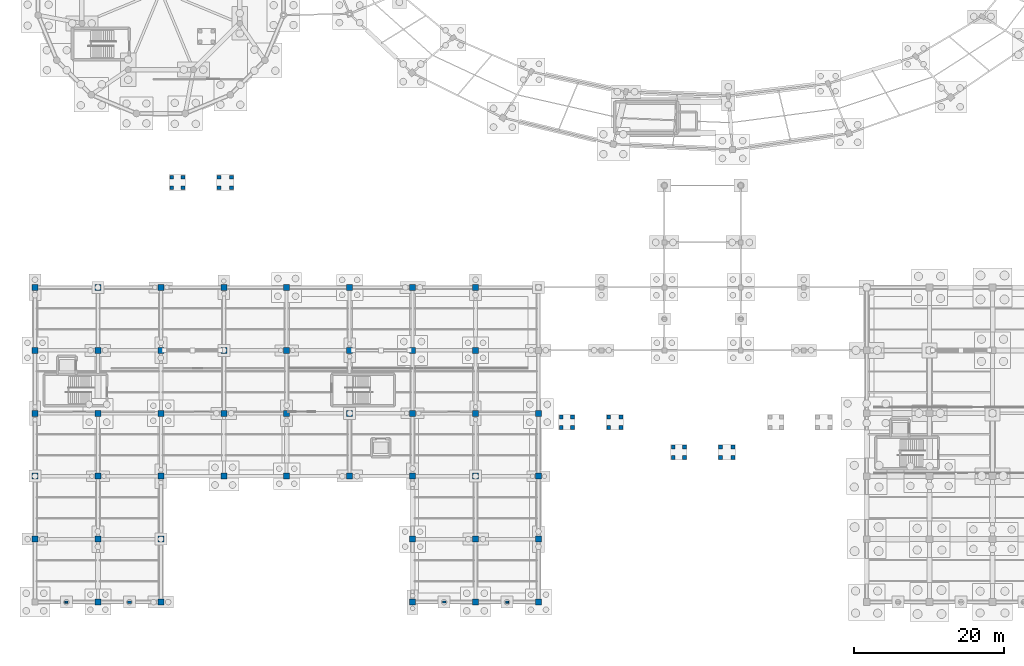
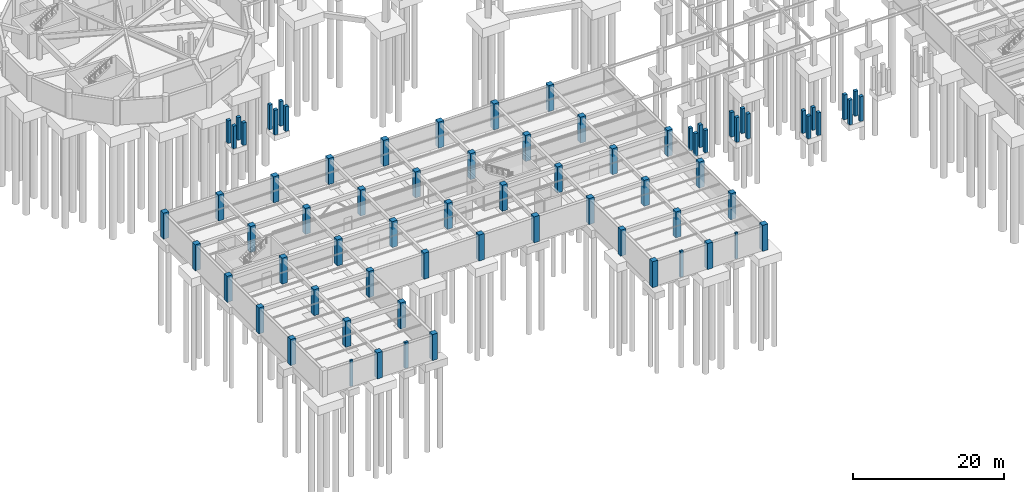
# One storey, part 11 of 38: 73 columns.
"""IFC4 building model written with IfcOpenShell, lengths in metres."""

from ifc_helpers import new_model, si_unit, direction, frame, origin, origin_2d, place, context, subcontext, project, spatial, rectangle, extrude, material, material_profile, profile_set, type_object, element, save


model = new_model("IFC4")

# Units and contexts
model_context = context("Model", 3, precision=1e-05, world=origin(), true_north=direction((0.0, 1.0)))
body_context = subcontext(model_context, "Body", "Model", "MODEL_VIEW")
ifc_project = project(units=[si_unit("LENGTHUNIT", "METRE"), si_unit("AREAUNIT", "SQUARE_METRE"), si_unit("VOLUMEUNIT", "CUBIC_METRE"), si_unit("PLANEANGLEUNIT", "RADIAN"), si_unit("MASSUNIT", "GRAM", prefix="KILO"), si_unit("THERMODYNAMICTEMPERATUREUNIT", "KELVIN"), si_unit("POWERUNIT", "WATT")], contexts=[model_context])

# Site, building, storey
site_placement = place(None, origin())
site = spatial("IfcSite", under=ifc_project, at=site_placement, CompositionType="ELEMENT")
building_placement = place(site_placement, origin())
building = spatial("IfcBuilding", under=site, at=building_placement, Name="Darbajah Civic Hall", CompositionType="ELEMENT")
storey_placement = place(building_placement, frame((0.0, 0.0, -4.199951171875)))
storey = spatial("IfcBuildingStorey", under=building, at=storey_placement, Name="B01", CompositionType="ELEMENT", Elevation=-4.199951171875)

# Columns
ifc_material_1 = material(Name="Concrete C45/55", Category="concrete")
ifc_material_profile_1 = material_profile(ifc_material_1, rectangle(XDim=0.39990234375, YDim=0.25, at=origin_2d()), Name="PILASTER 400x250")
ifc_profile_set_1 = profile_set([ifc_material_profile_1], Name="Concrete C45/55")
column_type_1 = type_object("IfcColumnType", Name="PILASTER 400x250", PredefinedType="PILASTER", material=ifc_profile_set_1)
for number, where, z_axis, x_axis, name in (
    (1, (4.199951171875, 0.0, 0.0), (0.0, 0.0, 1.0), (1.0, 0.0, 0.0), "B01 column PL-400"),
    (2, (63.0, 0.0, 0.0), (0.0, 0.0, 1.0), (1.0, 0.0, 0.0), "B01 column PL-400"),
):
    element("IfcColumn", number, at=place(storey_placement, frame(where, z_axis=z_axis, x_axis=x_axis)), inside=storey, type_object=column_type_1, Name=name, PredefinedType="PILASTER", context=body_context, shape_type="SweptSolid", body=[
        extrude(rectangle(XDim=0.39990234375, YDim=0.25, at=origin_2d()), origin(), (0.0, 0.0, 1.0), 4.199951171875),
    ])
ifc_material_profile_2 = material_profile(ifc_material_1, rectangle(XDim=0.449951171875, YDim=0.300048828125, at=origin_2d()), Name="PILASTER 450x300")
ifc_profile_set_2 = profile_set([ifc_material_profile_2], Name="Concrete C45/55")
column_type_2 = type_object("IfcColumnType", Name="PILASTER 450x300", PredefinedType="PILASTER", material=ifc_profile_set_2)
column_1_placement = place(storey_placement, frame((54.60009765625, 0.0, 0.0), z_axis=(0.0, 0.0, 1.0), x_axis=(1.0, 0.0, 0.0)))
element("IfcColumn", 3, at=column_1_placement, inside=storey, type_object=column_type_2, Name="B01 column PL-450", PredefinedType="PILASTER", context=body_context, shape_type="SweptSolid", body=[
    extrude(rectangle(XDim=0.449951171875, YDim=0.300048828125, at=origin_2d()), origin(), (0.0, 0.0, 1.0), 4.199951171875),
])
ifc_material_profile_3 = material_profile(ifc_material_1, rectangle(XDim=0.550048828125, YDim=0.35009765625, at=origin_2d()), Name="PILASTER 550x350")
ifc_profile_set_3 = profile_set([ifc_material_profile_3], Name="Concrete C45/55")
column_type_3 = type_object("IfcColumnType", Name="PILASTER 550x350", PredefinedType="PILASTER", material=ifc_profile_set_3)
column_2_placement = place(storey_placement, frame((12.60009765625, 0.0, 0.0), z_axis=(0.0, 0.0, 1.0), x_axis=(1.0, 0.0, 0.0)))
element("IfcColumn", 4, at=column_2_placement, inside=storey, type_object=column_type_3, Name="B01 column PL-550", PredefinedType="PILASTER", context=body_context, shape_type="SweptSolid", body=[
    extrude(rectangle(XDim=0.550048828125, YDim=0.35009765625, at=origin_2d()), origin(), (0.0, 0.0, 1.0), 4.199951171875),
])
ifc_material_profile_4 = material_profile(ifc_material_1, rectangle(XDim=0.5, YDim=0.5, at=origin_2d()), Name="RC COL 500x500")
ifc_profile_set_4 = profile_set([ifc_material_profile_4], Name="Concrete C45/55")
column_type_4 = type_object("IfcColumnType", Name="RC COL 500x500", PredefinedType="COLUMN", material=ifc_profile_set_4)
for number, where, z_axis, x_axis, name in (
    (5, (70.25, 23.300048828125, 0.0), (0.0, 0.0, 1.0), (1.0, 0.0, 0.0), "B01 ramp RMP-S1 BOT pier 1"),
    (6, (71.75, 23.300048828125, 0.0), (0.0, 0.0, 1.0), (1.0, 0.0, 0.0), "B01 ramp RMP-S1 BOT pier 2"),
    (7, (70.25, 24.699951171875, 0.0), (0.0, 0.0, 1.0), (1.0, 0.0, 0.0), "B01 ramp RMP-S1 BOT pier 3"),
    (8, (71.75, 24.699951171875, 0.0), (0.0, 0.0, 1.0), (1.0, 0.0, 0.0), "B01 ramp RMP-S1 BOT pier 4"),
):
    element("IfcColumn", number, at=place(storey_placement, frame(where, z_axis=z_axis, x_axis=x_axis)), inside=storey, type_object=column_type_4, Name=name, PredefinedType="COLUMN", context=body_context, shape_type="SweptSolid", body=[
        extrude(rectangle(XDim=0.5, YDim=0.5, at=origin_2d()), origin(), (0.0, 0.0, 1.0), 3.639892578125),
    ])
for number, where, z_axis, x_axis, name in (
    (9, (76.570068359375, 23.300048828125, 0.0), (0.0, 0.0, 1.0), (1.0, 0.0, 0.0), "B01 ramp RMP-S1 TOP pier 1"),
    (10, (78.219970703125, 23.300048828125, 0.0), (0.0, 0.0, 1.0), (1.0, 0.0, 0.0), "B01 ramp RMP-S1 TOP pier 2"),
    (11, (76.570068359375, 24.699951171875, 0.0), (0.0, 0.0, 1.0), (1.0, 0.0, 0.0), "B01 ramp RMP-S1 TOP pier 3"),
    (12, (78.219970703125, 24.699951171875, 0.0), (0.0, 0.0, 1.0), (1.0, 0.0, 0.0), "B01 ramp RMP-S1 TOP pier 4"),
):
    element("IfcColumn", number, at=place(storey_placement, frame(where, z_axis=z_axis, x_axis=x_axis)), inside=storey, type_object=column_type_4, Name=name, PredefinedType="COLUMN", context=body_context, shape_type="SweptSolid", body=[
        extrude(rectangle(XDim=0.5, YDim=0.5, at=origin_2d()), origin(), (0.0, 0.0, 1.0), 4.0),
    ])
for number, where, z_axis, x_axis, name in (
    (13, (85.18994140625, 19.300048828125, 0.0), (0.0, 0.0, 1.0), (1.0, 0.0, 0.0), "B01 ramp RMP-S3 BOT pier 1"),
    (14, (86.68994140625, 19.300048828125, 0.0), (0.0, 0.0, 1.0), (1.0, 0.0, 0.0), "B01 ramp RMP-S3 BOT pier 2"),
    (15, (85.18994140625, 20.699951171875, 0.0), (0.0, 0.0, 1.0), (1.0, 0.0, 0.0), "B01 ramp RMP-S3 BOT pier 3"),
    (16, (86.68994140625, 20.699951171875, 0.0), (0.0, 0.0, 1.0), (1.0, 0.0, 0.0), "B01 ramp RMP-S3 BOT pier 4"),
):
    element("IfcColumn", number, at=place(storey_placement, frame(where, z_axis=z_axis, x_axis=x_axis)), inside=storey, type_object=column_type_4, Name=name, PredefinedType="COLUMN", context=body_context, shape_type="SweptSolid", body=[
        extrude(rectangle(XDim=0.5, YDim=0.5, at=origin_2d()), origin(), (0.0, 0.0, 1.0), 3.639892578125),
    ])
for number, where, z_axis, x_axis, name in (
    (17, (91.510009765625, 19.300048828125, 0.0), (0.0, 0.0, 1.0), (1.0, 0.0, 0.0), "B01 ramp RMP-S3 TOP pier 1"),
    (18, (93.159912109375, 19.300048828125, 0.0), (0.0, 0.0, 1.0), (1.0, 0.0, 0.0), "B01 ramp RMP-S3 TOP pier 2"),
    (19, (91.510009765625, 20.699951171875, 0.0), (0.0, 0.0, 1.0), (1.0, 0.0, 0.0), "B01 ramp RMP-S3 TOP pier 3"),
    (20, (93.159912109375, 20.699951171875, 0.0), (0.0, 0.0, 1.0), (1.0, 0.0, 0.0), "B01 ramp RMP-S3 TOP pier 4"),
):
    element("IfcColumn", number, at=place(storey_placement, frame(where, z_axis=z_axis, x_axis=x_axis)), inside=storey, type_object=column_type_4, Name=name, PredefinedType="COLUMN", context=body_context, shape_type="SweptSolid", body=[
        extrude(rectangle(XDim=0.5, YDim=0.5, at=origin_2d()), origin(), (0.0, 0.0, 1.0), 4.0),
    ])
for number, where, z_axis, x_axis, name in (
    (21, (18.25, 55.300048828125, 0.0), (0.0, 0.0, 1.0), (1.0, 0.0, 0.0), "B01 ramp RMP-W1 BOT pier 1"),
    (22, (19.75, 55.300048828125, 0.0), (0.0, 0.0, 1.0), (1.0, 0.0, 0.0), "B01 ramp RMP-W1 BOT pier 2"),
    (23, (18.25, 56.699951171875, 0.0), (0.0, 0.0, 1.0), (1.0, 0.0, 0.0), "B01 ramp RMP-W1 BOT pier 3"),
    (24, (19.75, 56.699951171875, 0.0), (0.0, 0.0, 1.0), (1.0, 0.0, 0.0), "B01 ramp RMP-W1 BOT pier 4"),
):
    element("IfcColumn", number, at=place(storey_placement, frame(where, z_axis=z_axis, x_axis=x_axis)), inside=storey, type_object=column_type_4, Name=name, PredefinedType="COLUMN", context=body_context, shape_type="SweptSolid", body=[
        extrude(rectangle(XDim=0.5, YDim=0.5, at=origin_2d()), origin(), (0.0, 0.0, 1.0), 3.639892578125),
    ])
for number, where, z_axis, x_axis, name in (
    (25, (24.570068359375, 55.300048828125, 0.0), (0.0, 0.0, 1.0), (1.0, 0.0, 0.0), "B01 ramp RMP-W1 TOP pier 1"),
    (26, (26.219970703125, 55.300048828125, 0.0), (0.0, 0.0, 1.0), (1.0, 0.0, 0.0), "B01 ramp RMP-W1 TOP pier 2"),
    (27, (24.570068359375, 56.699951171875, 0.0), (0.0, 0.0, 1.0), (1.0, 0.0, 0.0), "B01 ramp RMP-W1 TOP pier 3"),
    (28, (26.219970703125, 56.699951171875, 0.0), (0.0, 0.0, 1.0), (1.0, 0.0, 0.0), "B01 ramp RMP-W1 TOP pier 4"),
):
    element("IfcColumn", number, at=place(storey_placement, frame(where, z_axis=z_axis, x_axis=x_axis)), inside=storey, type_object=column_type_4, Name=name, PredefinedType="COLUMN", context=body_context, shape_type="SweptSolid", body=[
        extrude(rectangle(XDim=0.5, YDim=0.5, at=origin_2d()), origin(), (0.0, 0.0, 1.0), 4.0),
    ])
ifc_material_2 = material(Name="Concrete C50/60", Category="concrete")
ifc_material_profile_5 = material_profile(ifc_material_2, rectangle(XDim=0.800048828125, YDim=0.800048828125, at=origin_2d()), Name="RC COL 800x800")
ifc_profile_set_5 = profile_set([ifc_material_profile_5], Name="Concrete C50/60")
column_type_5 = type_object("IfcColumnType", Name="RC COL 800x800", PredefinedType="COLUMN", material=ifc_profile_set_5)
for number, where, z_axis, x_axis, name in (
    (29, (0.0, 8.39990234375, 0.0), (0.0, 0.0, 1.0), (1.0, 0.0, 0.0), "B01 column C-RC800"),
    (30, (0.0, 16.800048828125, 0.0), (0.0, 0.0, 1.0), (1.0, 0.0, 0.0), "B01 column C-RC800"),
    (31, (0.0, 25.199951171875, 0.0), (0.0, 0.0, 1.0), (1.0, 0.0, 0.0), "B01 column C-RC800"),
    (32, (0.0, 33.60009765625, 0.0), (0.0, 0.0, 1.0), (1.0, 0.0, 0.0), "B01 column C-RC800"),
    (33, (0.0, 42.0, 0.0), (0.0, 0.0, 1.0), (1.0, 0.0, 0.0), "B01 column C-RC800"),
    (34, (8.39990234375, 0.0, 0.0), (0.0, 0.0, 1.0), (1.0, 0.0, 0.0), "B01 column C-RC800"),
    (35, (8.39990234375, 8.39990234375, 0.0), (0.0, 0.0, 1.0), (1.0, 0.0, 0.0), "B01 column C-RC800"),
    (36, (8.39990234375, 16.800048828125, 0.0), (0.0, 0.0, 1.0), (1.0, 0.0, 0.0), "B01 column C-RC800"),
    (37, (8.39990234375, 25.199951171875, 0.0), (0.0, 0.0, 1.0), (1.0, 0.0, 0.0), "B01 column C-RC800"),
    (38, (8.39990234375, 33.60009765625, 0.0), (0.0, 0.0, 1.0), (1.0, 0.0, 0.0), "B01 column C-RC800"),
    (39, (8.39990234375, 42.0, 0.0), (0.0, 0.0, 1.0), (1.0, 0.0, 0.0), "B01 column C-RC800"),
    (40, (16.800048828125, 0.0, 0.0), (0.0, 0.0, 1.0), (1.0, 0.0, 0.0), "B01 column C-RC800"),
    (41, (16.800048828125, 8.39990234375, 0.0), (0.0, 0.0, 1.0), (1.0, 0.0, 0.0), "B01 column C-RC800"),
    (42, (16.800048828125, 16.800048828125, 0.0), (0.0, 0.0, 1.0), (1.0, 0.0, 0.0), "B01 column C-RC800"),
    (43, (16.800048828125, 25.199951171875, 0.0), (0.0, 0.0, 1.0), (1.0, 0.0, 0.0), "B01 column C-RC800"),
    (44, (16.800048828125, 33.60009765625, 0.0), (0.0, 0.0, 1.0), (1.0, 0.0, 0.0), "B01 column C-RC800"),
    (45, (16.800048828125, 42.0, 0.0), (0.0, 0.0, 1.0), (1.0, 0.0, 0.0), "B01 column C-RC800"),
    (46, (25.199951171875, 16.800048828125, 0.0), (0.0, 0.0, 1.0), (1.0, 0.0, 0.0), "B01 column C-RC800"),
    (47, (25.199951171875, 25.199951171875, 0.0), (0.0, 0.0, 1.0), (1.0, 0.0, 0.0), "B01 column C-RC800"),
    (48, (25.199951171875, 33.60009765625, 0.0), (0.0, 0.0, 1.0), (1.0, 0.0, 0.0), "B01 column C-RC800"),
    (49, (25.199951171875, 42.0, 0.0), (0.0, 0.0, 1.0), (1.0, 0.0, 0.0), "B01 column C-RC800"),
    (50, (33.60009765625, 16.800048828125, 0.0), (0.0, 0.0, 1.0), (1.0, 0.0, 0.0), "B01 column C-RC800"),
    (51, (33.60009765625, 25.199951171875, 0.0), (0.0, 0.0, 1.0), (1.0, 0.0, 0.0), "B01 column C-RC800"),
    (52, (33.60009765625, 33.60009765625, 0.0), (0.0, 0.0, 1.0), (1.0, 0.0, 0.0), "B01 column C-RC800"),
    (53, (33.60009765625, 42.0, 0.0), (0.0, 0.0, 1.0), (1.0, 0.0, 0.0), "B01 column C-RC800"),
    (54, (42.0, 16.800048828125, 0.0), (0.0, 0.0, 1.0), (1.0, 0.0, 0.0), "B01 column C-RC800"),
    (55, (42.0, 25.199951171875, 0.0), (0.0, 0.0, 1.0), (1.0, 0.0, 0.0), "B01 column C-RC800"),
    (56, (42.0, 33.60009765625, 0.0), (0.0, 0.0, 1.0), (1.0, 0.0, 0.0), "B01 column C-RC800"),
    (57, (42.0, 42.0, 0.0), (0.0, 0.0, 1.0), (1.0, 0.0, 0.0), "B01 column C-RC800"),
    (58, (50.39990234375, 0.0, 0.0), (0.0, 0.0, 1.0), (1.0, 0.0, 0.0), "B01 column C-RC800"),
    (59, (50.39990234375, 8.39990234375, 0.0), (0.0, 0.0, 1.0), (1.0, 0.0, 0.0), "B01 column C-RC800"),
    (60, (50.39990234375, 16.800048828125, 0.0), (0.0, 0.0, 1.0), (1.0, 0.0, 0.0), "B01 column C-RC800"),
    (61, (50.39990234375, 25.199951171875, 0.0), (0.0, 0.0, 1.0), (1.0, 0.0, 0.0), "B01 column C-RC800"),
    (62, (50.39990234375, 33.60009765625, 0.0), (0.0, 0.0, 1.0), (1.0, 0.0, 0.0), "B01 column C-RC800"),
    (63, (50.39990234375, 42.0, 0.0), (0.0, 0.0, 1.0), (1.0, 0.0, 0.0), "B01 column C-RC800"),
    (64, (58.800048828125, 0.0, 0.0), (0.0, 0.0, 1.0), (1.0, 0.0, 0.0), "B01 column C-RC800"),
    (65, (58.800048828125, 8.39990234375, 0.0), (0.0, 0.0, 1.0), (1.0, 0.0, 0.0), "B01 column C-RC800"),
    (66, (58.800048828125, 16.800048828125, 0.0), (0.0, 0.0, 1.0), (1.0, 0.0, 0.0), "B01 column C-RC800"),
    (67, (58.800048828125, 25.199951171875, 0.0), (0.0, 0.0, 1.0), (1.0, 0.0, 0.0), "B01 column C-RC800"),
    (68, (58.800048828125, 33.60009765625, 0.0), (0.0, 0.0, 1.0), (1.0, 0.0, 0.0), "B01 column C-RC800"),
    (69, (58.800048828125, 42.0, 0.0), (0.0, 0.0, 1.0), (1.0, 0.0, 0.0), "B01 column C-RC800"),
    (70, (67.199951171875, 0.0, 0.0), (0.0, 0.0, 1.0), (1.0, 0.0, 0.0), "B01 column C-RC800"),
    (71, (67.199951171875, 8.39990234375, 0.0), (0.0, 0.0, 1.0), (1.0, 0.0, 0.0), "B01 column C-RC800"),
    (72, (67.199951171875, 16.800048828125, 0.0), (0.0, 0.0, 1.0), (1.0, 0.0, 0.0), "B01 column C-RC800"),
    (73, (67.199951171875, 25.199951171875, 0.0), (0.0, 0.0, 1.0), (1.0, 0.0, 0.0), "B01 column C-RC800"),
):
    element("IfcColumn", number, at=place(storey_placement, frame(where, z_axis=z_axis, x_axis=x_axis)), inside=storey, type_object=column_type_5, Name=name, PredefinedType="COLUMN", context=body_context, shape_type="SweptSolid", body=[
        extrude(rectangle(XDim=0.800048828125, YDim=0.800048828125, at=origin_2d()), origin(), (0.0, 0.0, 1.0), 4.199951171875),
    ])

save(model, "model.ifc")
